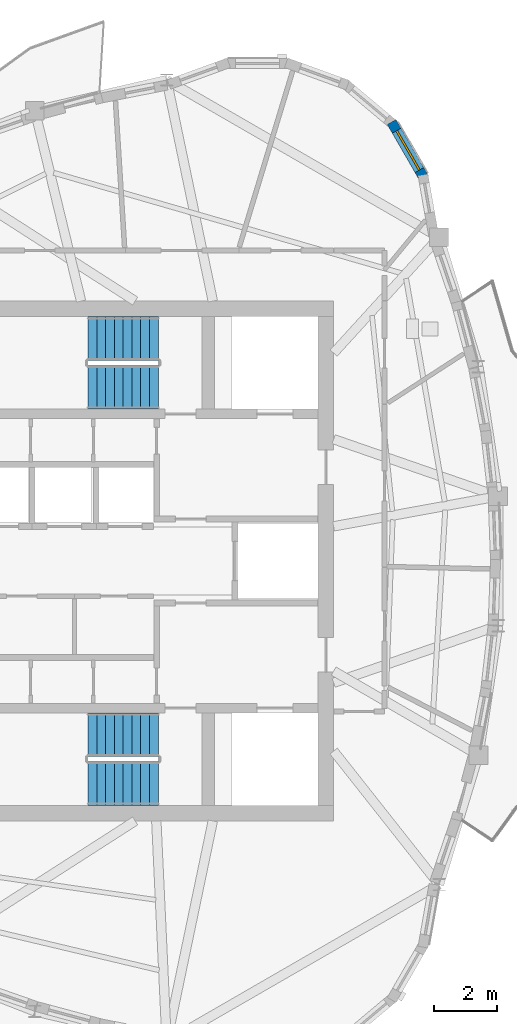
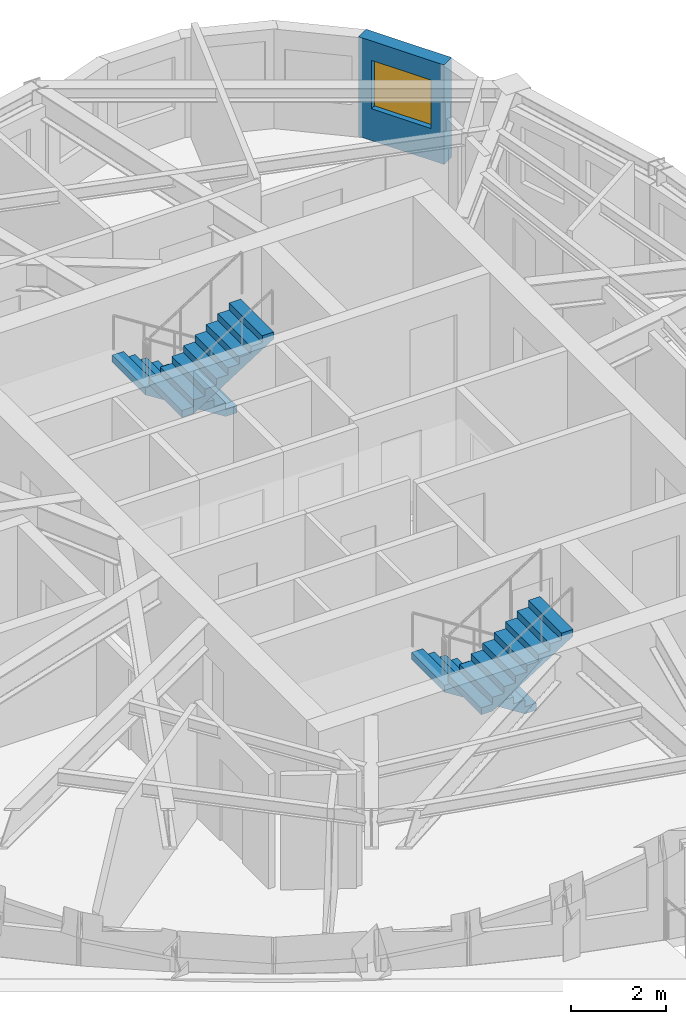
# One storey, part 8 of 12: 4 stair flights, 1 wall, 1 window, 1 opening, 2 elements without a shape of their own.
"""IFC4 building model written with IfcOpenShell, lengths in metres."""

import ifcopenshell
import ifcopenshell.guid

model = None  # the IFC model being written
_history = None  # IfcOwnerHistory: only IFC2X3 demands one
_inside = {}  # id of a spatial element -> (the spatial element, [elements in it])
_under = {}  # id of a project, library or spatial element -> (it, [spatial elements below it])
_declared = {}  # id of a project -> (the project, [libraries it declares])
_typed = {}  # id of a type object -> (the type object, [elements of that type])
_made_of = {}  # id of a material, layer set ... -> (it, [elements and type objects made of it])


def new_model(schema):
    """Start an empty IFC model of exactly this schema.

    Asked for "IFC4X3", IfcOpenShell would pick the latest addendum, in which some entities
    have other attributes; the version numbers below select the first issue.
    IFC2X3 requires an IfcOwnerHistory on every rooted entity: one is made here for all.
    """
    global model, _history
    if schema == "IFC4X3":
        model = ifcopenshell.file(schema_version=(4, 3, 0, 0))
    else:
        model = ifcopenshell.file(schema=schema)
    _inside.clear()
    _under.clear()
    _declared.clear()
    _typed.clear()
    _made_of.clear()
    _history = None
    if model.schema == "IFC2X3":
        org = make("IfcOrganization", Name="unknown")
        user = make(
            "IfcPersonAndOrganization",
            ThePerson=make("IfcPerson", FamilyName="unknown"),
            TheOrganization=org,
        )
        app = make(
            "IfcApplication",
            ApplicationDeveloper=org,
            Version="unknown",
            ApplicationFullName="unknown",
            ApplicationIdentifier="unknown",
        )
        _history = make(
            "IfcOwnerHistory",
            OwningUser=user,
            OwningApplication=app,
            ChangeAction="ADDED",
            CreationDate=0,
        )
    return model


def make(cls, **values):
    """One entity of the class cls with the attributes given. An attribute that is None is left unset."""
    return model.create_entity(
        cls, **{name: value for name, value in values.items() if value is not None}
    )


def rooted(cls, **values):
    """An entity with a GlobalId (a new one), such as an element, a storey or a relation."""
    return make(cls, GlobalId=ifcopenshell.guid.new(), OwnerHistory=_history, **values)


def si_unit(unit_type, name, prefix=None):
    """IfcSIUnit, for example si_unit("LENGTHUNIT", "METRE", prefix="MILLI")."""
    return make("IfcSIUnit", UnitType=unit_type, Prefix=prefix, Name=name)


def assignment(units):
    """IfcUnitAssignment: the units of a project."""
    return None if units is None else make("IfcUnitAssignment", Units=units)


def point(xyz):
    """IfcCartesianPoint."""
    return None if xyz is None else make("IfcCartesianPoint", Coordinates=xyz)


def direction(xyz):
    """IfcDirection."""
    return None if xyz is None else make("IfcDirection", DirectionRatios=xyz)


def frame(location, z_axis=None, x_axis=None):
    """IfcAxis2Placement3D, a coordinate frame: its origin and axes. An axis left out is left unset."""
    return make(
        "IfcAxis2Placement3D",
        Location=point(location),
        Axis=direction(z_axis),
        RefDirection=direction(x_axis),
    )


def frame_2d(location, x_axis=None):
    """IfcAxis2Placement2D, a coordinate frame in the plane: its origin and x axis."""
    return make(
        "IfcAxis2Placement2D", Location=point(location), RefDirection=direction(x_axis)
    )


def origin():
    """The frame at (0, 0, 0) with its axes left unset."""
    return frame((0.0, 0.0, 0.0))


def place(relative_to, where):
    """IfcLocalPlacement: puts the frame where relative to a parent placement (None: the world)."""
    return make(
        "IfcLocalPlacement", PlacementRelTo=relative_to, RelativePlacement=where
    )


def context(
    kind, dimensions, precision=None, world=None, true_north=None, identifier=None
):
    """IfcGeometricRepresentationContext, for example the 3D "Model" context."""
    return make(
        "IfcGeometricRepresentationContext",
        ContextIdentifier=identifier,
        ContextType=kind,
        CoordinateSpaceDimension=dimensions,
        Precision=precision,
        WorldCoordinateSystem=world,
        TrueNorth=true_north,
    )


def subcontext(parent, identifier, kind, view, scale=None):
    """IfcGeometricRepresentationSubContext, for example "Body" below "Model"."""
    return make(
        "IfcGeometricRepresentationSubContext",
        ContextIdentifier=identifier,
        ContextType=kind,
        ParentContext=parent,
        TargetScale=scale,
        TargetView=view,
    )


def project(units=None, contexts=None):
    """IfcProject with its units and contexts."""
    return rooted(
        "IfcProject",
        Name="project",
        RepresentationContexts=contexts,
        UnitsInContext=assignment(units),
    )


def spatial(cls, under=None, at=None, **own):
    """A site, building, storey or space (cls), placed at a placement, below another one or the project."""
    s = rooted(cls, ObjectPlacement=at, **own)
    if under is not None:
        _under.setdefault(under.id(), (under, []))[1].append(s)
    return s


def polyline(points):
    """IfcPolyline through the points."""
    return make("IfcPolyline", Points=[point(p) for p in points])


def profile(cls, at=None, kind="AREA", **sizes):
    """A parametric profile (cls). Its sizes go by their IFC names, for example OverallWidth=200.0."""
    return make(cls, ProfileType=kind, Position=at, **sizes)


def rectangle(**sizes):
    """IfcRectangleProfileDef."""
    return profile("IfcRectangleProfileDef", **sizes)


def outline(outer, holes=None, kind="AREA"):
    """IfcArbitraryClosedProfileDef: a profile drawn as a closed curve; with holes, ...WithVoids."""
    if holes is None:
        return make("IfcArbitraryClosedProfileDef", ProfileType=kind, OuterCurve=outer)
    return make(
        "IfcArbitraryProfileDefWithVoids",
        ProfileType=kind,
        OuterCurve=outer,
        InnerCurves=holes,
    )


def extrude(swept, where, along, depth):
    """IfcExtrudedAreaSolid: the profile swept, set in the frame where, extruded along a direction by depth."""
    return make(
        "IfcExtrudedAreaSolid",
        SweptArea=swept,
        Position=where,
        ExtrudedDirection=direction(along),
        Depth=depth,
    )


def shape(context_of_items, identifier, shape_type, items):
    """IfcShapeRepresentation: the items that make up one representation, for example the "Body"."""
    return make(
        "IfcShapeRepresentation",
        ContextOfItems=context_of_items,
        RepresentationIdentifier=identifier,
        RepresentationType=shape_type,
        Items=items,
    )


def source(mapping_origin, context_of_items, identifier, shape_type, items):
    """IfcRepresentationMap: a shape defined once, which mapped items show again and again."""
    return make(
        "IfcRepresentationMap",
        MappingOrigin=mapping_origin,
        MappedRepresentation=shape(context_of_items, identifier, shape_type, items),
    )


def transform(
    local_origin,
    x_axis=None,
    y_axis=None,
    z_axis=None,
    scale=None,
    scale2=None,
    scale3=None,
    uniform=True,
):
    """IfcCartesianTransformationOperator3D, or its non-uniform kind. x_axis, y_axis, z_axis: its Axis1, 2, 3."""
    if uniform:
        return make(
            "IfcCartesianTransformationOperator3D",
            Axis1=direction(x_axis),
            Axis2=direction(y_axis),
            LocalOrigin=point(local_origin),
            Scale=scale,
            Axis3=direction(z_axis),
        )
    return make(
        "IfcCartesianTransformationOperator3DnonUniform",
        Axis1=direction(x_axis),
        Axis2=direction(y_axis),
        LocalOrigin=point(local_origin),
        Scale=scale,
        Axis3=direction(z_axis),
        Scale2=scale2,
        Scale3=scale3,
    )


def mapped(mapping_source, mapping_target):
    """IfcMappedItem: shows the shape of a source again, moved by a transform."""
    return make(
        "IfcMappedItem", MappingSource=mapping_source, MappingTarget=mapping_target
    )


def material(Name=None, Category=None):
    """IfcMaterial."""
    return make("IfcMaterial", Name=Name, Category=Category)


def layer(
    of_material, thickness, ventilated=None, Name=None, Category=None, Priority=None
):
    """IfcMaterialLayer: one layer of a wall or slab, of a material (None: an air gap)."""
    return make(
        "IfcMaterialLayer",
        Material=of_material,
        LayerThickness=thickness,
        IsVentilated=ventilated,
        Name=Name,
        Category=Category,
        Priority=Priority,
    )


def layer_set(layers, Name=None):
    """IfcMaterialLayerSet."""
    return make("IfcMaterialLayerSet", MaterialLayers=layers, LayerSetName=Name)


def made_of(thing, what):
    """Note that an element or type object is made of a material, layer set ...; save() writes the relation."""
    if what is not None:
        _made_of.setdefault(what.id(), (what, []))[1].append(thing)
    return thing


def type_object(cls, material=None, **own):
    """A type object (cls), such as IfcWallType, which elements share."""
    return made_of(rooted(cls, **own), material)


def element(
    cls,
    number,
    at=None,
    inside=None,
    cuts=None,
    type_object=None,
    material=None,
    context=None,
    identifier="Body",
    shape_type=None,
    held_by="IfcProductDefinitionShape",
    body=None,
    shapes=None,
    **own,
):
    """One element of the class cls, such as IfcWall. Its Tag is "e" and its number.

    at: its placement. inside: the storey or other place that contains it. cuts: it is an
    opening in that element (IfcRelVoidsElement). A single representation is given by context,
    identifier, shape_type and body (its items); several are given by shapes. held_by: the class
    of the entity that holds the representations. save() writes the other relations.
    """
    e = rooted(cls, Tag="e%d" % number, ObjectPlacement=at, **own)
    if body is not None:
        shapes = [shape(context, identifier, shape_type, body)]
    if shapes is not None:
        e.Representation = make(held_by, Representations=shapes)
    if inside is not None:
        _inside.setdefault(inside.id(), (inside, []))[1].append(e)
    if cuts is not None:
        rooted(
            "IfcRelVoidsElement", RelatingBuildingElement=cuts, RelatedOpeningElement=e
        )
    if type_object is not None:
        _typed.setdefault(type_object.id(), (type_object, []))[1].append(e)
    return made_of(e, material)


def fill(opening, filler):
    """IfcRelFillsElement: the door or window that sits in an opening."""
    return rooted(
        "IfcRelFillsElement",
        RelatingOpeningElement=opening,
        RelatedBuildingElement=filler,
    )


def aggregate(whole, parts):
    """IfcRelAggregates: a whole, such as a stair, and the parts it consists of."""
    return rooted("IfcRelAggregates", RelatingObject=whole, RelatedObjects=parts)


def save(model, path):
    """Write the relations noted so far, then the file.

    IfcRelAggregates (storeys below a building ...), IfcRelContainedInSpatialStructure (elements
    in a storey), IfcRelDefinesByType, IfcRelAssociatesMaterial and IfcRelDeclares: one each for
    every whole, place, type object, material and project.
    """
    for whole, parts in _under.values():
        aggregate(whole, parts)
    for where, things in _inside.values():
        rooted(
            "IfcRelContainedInSpatialStructure",
            RelatedElements=things,
            RelatingStructure=where,
        )
    for kind, things in _typed.values():
        rooted("IfcRelDefinesByType", RelatedObjects=things, RelatingType=kind)
    for what, things in _made_of.values():
        rooted("IfcRelAssociatesMaterial", RelatedObjects=things, RelatingMaterial=what)
    for by, libraries in _declared.values():
        rooted("IfcRelDeclares", RelatingContext=by, RelatedDefinitions=libraries)
    model.write(path)


model = new_model("IFC4")

# Units and contexts
model_context = context("Model", 3, precision=1e-05, world=origin(), true_north=direction((0.0, 1.0)))
body_context = subcontext(model_context, "Body", "Model", "MODEL_VIEW")
ifc_project = project(units=[si_unit("LENGTHUNIT", "METRE"), si_unit("AREAUNIT", "SQUARE_METRE"), si_unit("VOLUMEUNIT", "CUBIC_METRE"), si_unit("PLANEANGLEUNIT", "RADIAN"), si_unit("MASSUNIT", "GRAM", prefix="KILO")], contexts=[model_context])

# Site, building, storey
site_placement = place(None, origin())
site = spatial("IfcSite", under=ifc_project, at=site_placement, CompositionType="ELEMENT")
building_placement = place(site_placement, origin())
building = spatial("IfcBuilding", under=site, at=building_placement, Name="Qafzar Sky-Pleat Residences", CompositionType="ELEMENT")
storey_placement = place(building_placement, frame((0.0, 0.0, 250.0)))
storey = spatial("IfcBuildingStorey", under=building, at=storey_placement, Name="L75", CompositionType="ELEMENT", Elevation=250.0)

# Wall, opening, window
ifc_material_1 = material(Name="Precast concrete C40/50 with honed Riyadh limestone", Category="concrete")
ifc_layer = layer(ifc_material_1, 0.320068359375)
ifc_layer_set = layer_set([ifc_layer], Name="Precast concrete C40/50 with honed Riyadh limestone")
wall_type = type_object("IfcWallType", Name="WALL-EXT-320", PredefinedType="SOLIDWALL", material=ifc_layer_set)
wall_placement = place(storey_placement, frame((39.298095703125, 38.206787109375, 0.0), z_axis=(0.0, 0.0, 1.0), x_axis=(-0.499995423472, 0.866028046028, 0.0)))
wall = element("IfcWall", 1, at=wall_placement, inside=storey, type_object=wall_type, Name="L75 Limestone Facade Wall 34", PredefinedType="SOLIDWALL", context=body_context, shape_type="SweptSolid", body=[
    extrude(rectangle(XDim=2.09033203125, YDim=0.320068359375, at=frame_2d((1.045166015625, 0.0))), origin(), (0.0, 0.0, 1.0), 2.570068359375),
])
opening_placement = place(wall_placement, frame((0.3203125, 0.0, 0.820068359375)))
opening = element("IfcOpeningElement", 2, at=opening_placement, cuts=wall, Name="Opening WN-15", PredefinedType="OPENING", context=body_context, shape_type="SweptSolid", body=[
    extrude(rectangle(XDim=1.449951171875, YDim=1.25, at=frame_2d((0.72509765625, 0.625))), frame((0.0, 0.169921875, 0.0), z_axis=(0.0, -1.0, 0.0), x_axis=(1.0, 0.0, 0.0)), (0.0, 0.0, 1.0), 0.340087890625),
])
ifc_material_2 = material(Name="Solar-control low-E glass in bronze aluminium frame", Category="glass")
window_type = type_object("IfcWindowType", Name="WIN-15", PartitioningType="SINGLE_PANEL", PredefinedType="WINDOW", material=ifc_material_2)
shared_shape_1 = source(origin(), body_context, "Body", "SweptSolid", [
    extrude(rectangle(XDim=1.449951171875, YDim=1.25, at=frame_2d((0.72509765625, 0.625))), frame((0.0, 0.030029296875, 0.0), z_axis=(0.0, -1.0, 0.0), x_axis=(1.0, 0.0, 0.0)), (0.0, 0.0, 1.0), 0.06005859375),
])
window_placement = place(opening_placement, origin())
window = element("IfcWindow", 3, at=window_placement, inside=storey, type_object=window_type, Name="L75 Punched Facade Window 34", OverallHeight=1.25, OverallWidth=1.449951171875, PartitioningType="SINGLE_PANEL", PredefinedType="WINDOW", context=body_context, shape_type="MappedRepresentation", body=[
    mapped(shared_shape_1, transform((0.0, 0.0, 0.0), x_axis=(1.0, 0.0, 0.0), y_axis=(0.0, 1.0, 0.0), z_axis=(0.0, 0.0, 1.0), scale=1.0)),
])
fill(opening, window)

# Stair, stair flights
ifc_material_3 = material(Name="Concrete C40/50", Category="concrete")
stair_type = type_object("IfcStairType", Name="STAIR-H320", PredefinedType="HALF_TURN_STAIR", material=ifc_material_3)
stair_1_placement = place(storey_placement, origin())
stair_1 = element("IfcStair", 4, at=stair_1_placement, inside=storey, type_object=stair_type, Name="L75 Protected Exit Stair ST1", PredefinedType="HALF_TURN_STAIR")
stair_flight_type = type_object("IfcStairFlightType", Name="FLIGHT-H320", PredefinedType="STRAIGHT", material=ifc_material_3)
shared_shape_2 = source(origin(), body_context, "Body", "SweptSolid", [
    extrude(outline(polyline([(0.0, 0.0), (0.0, 0.177734375), (0.280029296875, 0.177734375), (0.280029296875, 0.35546875), (0.56005859375, 0.35546875), (0.56005859375, 0.533447265625), (0.840087890625, 0.533447265625), (0.840087890625, 0.711181640625), (1.1201171875, 0.711181640625), (1.1201171875, 0.888916015625), (1.39990234375, 0.888916015625), (1.39990234375, 1.066650390625), (1.679931640625, 1.066650390625), (1.679931640625, 1.244384765625), (1.9599609375, 1.244384765625), (1.9599609375, 1.422119140625), (2.239990234375, 1.422119140625), (2.239990234375, 1.60009765625), (2.239990234375, 1.24462890625), (0.27978515625, 0.0), (0.0, 0.0)])), frame((0.0, 0.699951171875, 0.0), z_axis=(0.0, -1.0, 0.0), x_axis=(1.0, 0.0, 0.0)), (0.0, 0.0, 1.0), 1.39990234375),
])
stair_flight_1_placement = place(storey_placement, frame((30.800048828125, 20.449951171875, 0.0), z_axis=(0.0, 0.0, 1.0), x_axis=(-1.0, 0.0, 0.0)))
stair_flight_1 = element("IfcStairFlight", 5, at=stair_flight_1_placement, type_object=stair_flight_type, Name="ST1 flight 1", NumberOfRisers=9, NumberOfTreads=8, PredefinedType="STRAIGHT", RiserHeight=0.177777778, TreadLength=0.28, context=body_context, shape_type="MappedRepresentation", body=[
    mapped(shared_shape_2, transform((0.0, 0.0, 0.0), x_axis=(1.0, 0.0, 0.0), y_axis=(0.0, 1.0, 0.0), z_axis=(0.0, 0.0, 1.0), scale=1.0)),
])
stair_flight_2_placement = place(storey_placement, frame((28.56005859375, 18.89990234375, 1.60009765625), z_axis=(0.0, 0.0, 1.0), x_axis=(1.0, 0.0, 0.0)))
stair_flight_2 = element("IfcStairFlight", 6, at=stair_flight_2_placement, type_object=stair_flight_type, Name="ST1 flight 2", NumberOfRisers=9, NumberOfTreads=8, PredefinedType="STRAIGHT", RiserHeight=0.177777778, TreadLength=0.28, context=body_context, shape_type="MappedRepresentation", body=[
    mapped(shared_shape_2, transform((0.0, 0.0, 0.0), x_axis=(1.0, 0.0, 0.0), y_axis=(0.0, 1.0, 0.0), z_axis=(0.0, 0.0, 1.0), scale=1.0)),
])
aggregate(stair_1, [stair_flight_1, stair_flight_2])

stair_2_placement = place(storey_placement, origin())
stair_2 = element("IfcStair", 7, at=stair_2_placement, inside=storey, type_object=stair_type, Name="L75 Protected Exit Stair ST2", PredefinedType="HALF_TURN_STAIR")
stair_flight_3_placement = place(storey_placement, frame((30.800048828125, 33.10009765625, 0.0), z_axis=(0.0, 0.0, 1.0), x_axis=(-1.0, 0.0, 0.0)))
stair_flight_3 = element("IfcStairFlight", 8, at=stair_flight_3_placement, type_object=stair_flight_type, Name="ST2 flight 1", NumberOfRisers=9, NumberOfTreads=8, PredefinedType="STRAIGHT", RiserHeight=0.177777778, TreadLength=0.28, context=body_context, shape_type="MappedRepresentation", body=[
    mapped(shared_shape_2, transform((0.0, 0.0, 0.0), x_axis=(1.0, 0.0, 0.0), y_axis=(0.0, 1.0, 0.0), z_axis=(0.0, 0.0, 1.0), scale=1.0)),
])
stair_flight_4_placement = place(storey_placement, frame((28.56005859375, 31.550048828125, 1.60009765625), z_axis=(0.0, 0.0, 1.0), x_axis=(1.0, 0.0, 0.0)))
stair_flight_4 = element("IfcStairFlight", 9, at=stair_flight_4_placement, type_object=stair_flight_type, Name="ST2 flight 2", NumberOfRisers=9, NumberOfTreads=8, PredefinedType="STRAIGHT", RiserHeight=0.177777778, TreadLength=0.28, context=body_context, shape_type="MappedRepresentation", body=[
    mapped(shared_shape_2, transform((0.0, 0.0, 0.0), x_axis=(1.0, 0.0, 0.0), y_axis=(0.0, 1.0, 0.0), z_axis=(0.0, 0.0, 1.0), scale=1.0)),
])
aggregate(stair_2, [stair_flight_3, stair_flight_4])

save(model, "model.ifc")
